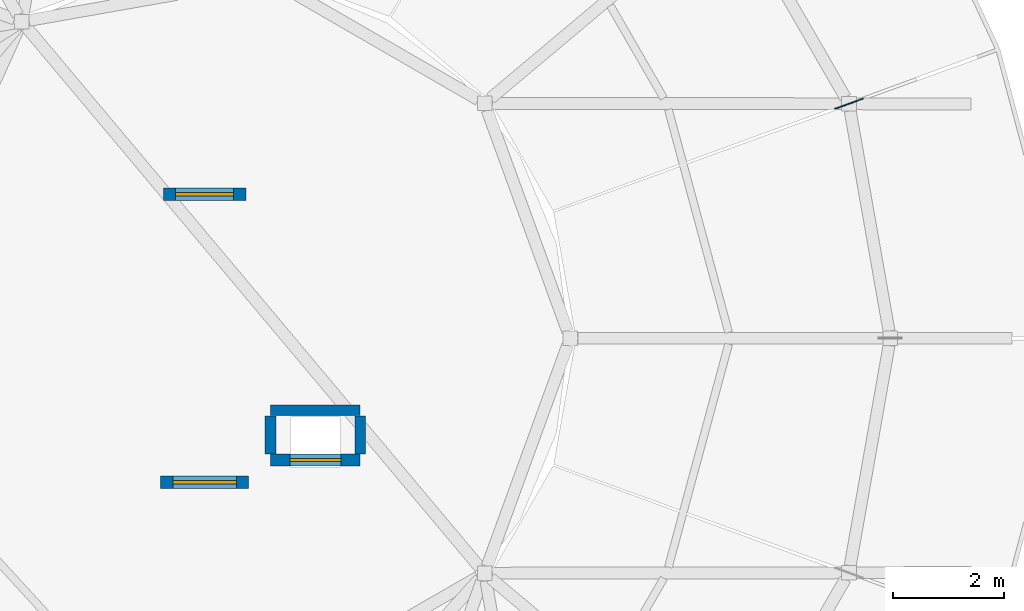
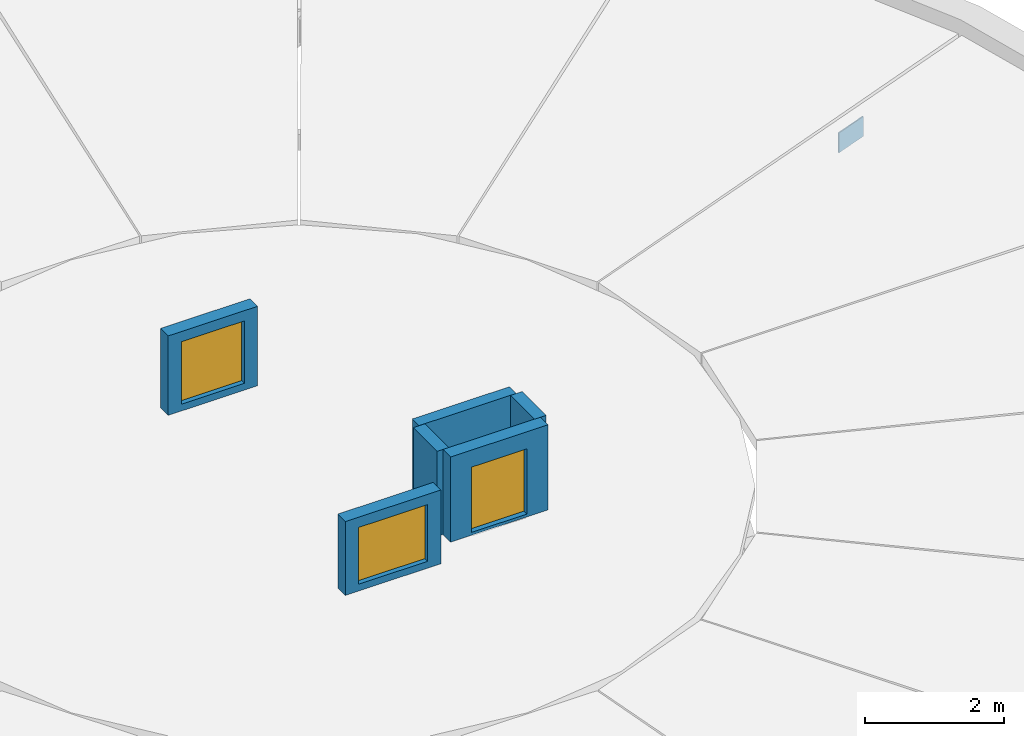
# One storey, part 7 of 14: 6 walls, 2 windows, 1 door, 1 plate, 3 openings.
"""IFC4 building model written with IfcOpenShell, lengths in metres."""

from ifc_helpers import new_model, si_unit, direction, frame, frame_2d, origin, origin_2d, place, context, subcontext, project, spatial, rectangle, extrude, material, layer, layer_set, type_object, element, fill, save


model = new_model("IFC4")

# Units and contexts
model_context = context("Model", 3, precision=1e-05, world=origin(), true_north=direction((0.0, 1.0)))
body_context = subcontext(model_context, "Body", "Model", "MODEL_VIEW")
ifc_project = project(units=[si_unit("LENGTHUNIT", "METRE"), si_unit("AREAUNIT", "SQUARE_METRE"), si_unit("VOLUMEUNIT", "CUBIC_METRE"), si_unit("PLANEANGLEUNIT", "RADIAN"), si_unit("MASSUNIT", "GRAM", prefix="KILO")], contexts=[model_context])

# Site, building, storey
site_placement = place(None, origin())
site = spatial("IfcSite", under=ifc_project, at=site_placement, CompositionType="ELEMENT")
building_placement = place(site_placement, origin())
building = spatial("IfcBuilding", under=site, at=building_placement, Name="Aldenvaro Health Centre", CompositionType="ELEMENT")
storey_placement = place(building_placement, frame((0.0, 0.0, 21.35009765625)))
storey = spatial("IfcBuildingStorey", under=building, at=storey_placement, Name="L05", CompositionType="ELEMENT", Elevation=21.35009765625)

# Plate
ifc_material_1 = material(Name="Steel ASTM A572 Grade 50", Category="steel")
ifc_layer_1 = layer(ifc_material_1, 0.01904296875, Name="Steel ASTM A572 Grade 50", Category="steel")
ifc_layer_set_1 = layer_set([ifc_layer_1], Name="Steel ASTM A572 Grade 50")
plate_type = type_object("IfcPlateType", Name="PLT-GUS-08", PredefinedType="SHEET", material=ifc_layer_set_1)
plate_placement = place(storey_placement, frame((30.133056640625, 22.73388671875, 0.19775390625), z_axis=(0.0, 0.0, 1.0), x_axis=(0.939694327372, 0.342015454484, 0.0)))
element("IfcPlate", 1, at=plate_placement, inside=storey, type_object=plate_type, Name="D5 Rafter Eave Gusset 02", PredefinedType="SHEET", context=body_context, shape_type="SweptSolid", body=[
    extrude(rectangle(XDim=0.550048828125, YDim=0.01904296875, at=origin_2d()), origin(), (0.0, 0.0, 1.0), 0.35009765625),
])

# Walls
ifc_material_2 = material(Name="Concrete f'c 35 MPa", Category="concrete")
ifc_layer_2 = layer(ifc_material_2, 0.195068359375, Name="Concrete f'c 35 MPa", Category="concrete")
ifc_layer_set_2 = layer_set([ifc_layer_2], Name="Concrete f'c 35 MPa")
wall_type_1 = type_object("IfcWallType", Name="WL-PAR-195", PredefinedType="PARAPET", material=ifc_layer_set_2)
wall_1_placement = place(storey_placement, frame((19.68994140625, 17.199951171875, 0.81494140625), z_axis=(0.0, 0.0, 1.0), x_axis=(1.0, 0.0, 0.0)))
element("IfcWall", 2, at=wall_1_placement, inside=storey, type_object=wall_type_1, Name="D5 Roof Access Curb Wall N-6", PredefinedType="PARAPET", context=body_context, shape_type="SweptSolid", body=[
    extrude(rectangle(XDim=1.6201171875, YDim=0.195068359375, at=frame_2d((0.81005859375, 0.0))), origin(), (0.0, 0.0, 1.0), 1.5),
])
for number, where, z_axis, x_axis, name in (
    (3, (19.68994140625, 16.409912109375, 0.81494140625), (0.0, 0.0, 1.0), (0.0, 1.0, 0.0), "D5 Roof Access Curb Wall W-6"),
    (4, (21.31005859375, 17.10009765625, 0.81494140625), (0.0, 0.0, 1.0), (0.0, -1.0, 0.0), "D5 Roof Access Curb Wall E-6"),
):
    element("IfcWall", number, at=place(storey_placement, frame(where, z_axis=z_axis, x_axis=x_axis)), inside=storey, type_object=wall_type_1, Name=name, PredefinedType="PARAPET", context=body_context, shape_type="SweptSolid", body=[
        extrude(rectangle(XDim=0.690185546875, YDim=0.195068359375, at=frame_2d((0.34521484375, 0.0))), origin(), (0.0, 0.0, 1.0), 1.5),
    ])

# Wall, opening, window
ifc_layer_3 = layer(ifc_material_2, 0.219970703125, Name="Concrete f'c 35 MPa", Category="concrete")
ifc_layer_set_3 = layer_set([ifc_layer_3], Name="Concrete f'c 35 MPa")
wall_type_2 = type_object("IfcWallType", Name="WL-PAR-220", PredefinedType="PARAPET", material=ifc_layer_set_3)
wall_2_placement = place(storey_placement, frame((17.7548828125, 21.10009765625, 0.81494140625), z_axis=(0.0, 0.0, 1.0), x_axis=(1.0, 0.0, 0.0)))
wall_2 = element("IfcWall", 5, at=wall_2_placement, inside=storey, type_object=wall_type_2, Name="D5 Clinical Clerestory Skylight Curb 3", PredefinedType="PARAPET", context=body_context, shape_type="SweptSolid", body=[
    extrude(rectangle(XDim=1.490234375, YDim=0.219970703125, at=frame_2d((0.7451171875, 0.0))), origin(), (0.0, 0.0, 1.0), 1.39990234375),
])
opening_1_placement = place(wall_2_placement, frame((0.219970703125, 0.0, 0.1201171875)))
opening_1 = element("IfcOpeningElement", 6, at=opening_1_placement, cuts=wall_2, Name="Opening SK-03", PredefinedType="OPENING", context=body_context, shape_type="SweptSolid", body=[
    extrude(rectangle(XDim=1.050048828125, YDim=1.10009765625, at=frame_2d((0.52490234375, 0.550048828125))), frame((0.0, 0.1201171875, 0.0), z_axis=(0.0, -1.0, 0.0), x_axis=(1.0, 0.0, 0.0)), (0.0, 0.0, 1.0), 0.239990234375),
])
ifc_material_3 = material(Name="Laminated Solar Control Skylight Glass", Category="glass")
window_type_1 = type_object("IfcWindowType", Name="WN-SKY-03", PartitioningType="SINGLE_PANEL", PredefinedType="SKYLIGHT", material=ifc_material_3)
window_1_placement = place(opening_1_placement, origin())
window_1 = element("IfcWindow", 7, at=window_1_placement, inside=storey, type_object=window_type_1, Name="D5 Clinical Clerestory Skylight 3", OverallHeight=1.10009765625, OverallWidth=1.050048828125, PartitioningType="SINGLE_PANEL", PredefinedType="SKYLIGHT", context=body_context, shape_type="SweptSolid", body=[
    extrude(rectangle(XDim=1.050048828125, YDim=1.10009765625, at=frame_2d((0.52490234375, 0.550048828125))), frame((0.0, 0.030029296875, 0.0), z_axis=(0.0, -1.0, 0.0), x_axis=(1.0, 0.0, 0.0)), (0.0, 0.0, 1.0), 0.06005859375),
])
fill(opening_1, window_1)

wall_3_placement = place(storey_placement, frame((19.294921875, 15.89990234375, 0.81494140625), z_axis=(0.0, 0.0, 1.0), x_axis=(-1.0, 0.0, 0.0)))
wall_3 = element("IfcWall", 8, at=wall_3_placement, inside=storey, type_object=wall_type_2, Name="D5 Clinical Clerestory Skylight Curb 4", PredefinedType="PARAPET", context=body_context, shape_type="SweptSolid", body=[
    extrude(rectangle(XDim=1.58984375, YDim=0.219970703125, at=frame_2d((0.794921875, 0.0))), origin(), (0.0, 0.0, 1.0), 1.300048828125),
])
opening_2_placement = place(wall_3_placement, frame((0.219970703125, 0.0, 0.1201171875)))
opening_2 = element("IfcOpeningElement", 9, at=opening_2_placement, cuts=wall_3, Name="Opening SK-04", PredefinedType="OPENING", context=body_context, shape_type="SweptSolid", body=[
    extrude(rectangle(XDim=1.14990234375, YDim=1.0, at=frame_2d((0.574951171875, 0.5))), frame((0.0, 0.1201171875, 0.0), z_axis=(0.0, -1.0, 0.0), x_axis=(1.0, 0.0, 0.0)), (0.0, 0.0, 1.0), 0.239990234375),
])
window_type_2 = type_object("IfcWindowType", Name="WN-SKY-04", PartitioningType="SINGLE_PANEL", PredefinedType="SKYLIGHT", material=ifc_material_3)
window_2_placement = place(opening_2_placement, origin())
window_2 = element("IfcWindow", 10, at=window_2_placement, inside=storey, type_object=window_type_2, Name="D5 Clinical Clerestory Skylight 4", OverallHeight=1.0, OverallWidth=1.14990234375, PartitioningType="SINGLE_PANEL", PredefinedType="SKYLIGHT", context=body_context, shape_type="SweptSolid", body=[
    extrude(rectangle(XDim=1.14990234375, YDim=1.0, at=frame_2d((0.574951171875, 0.5))), frame((0.0, 0.030029296875, 0.0), z_axis=(0.0, -1.0, 0.0), x_axis=(1.0, 0.0, 0.0)), (0.0, 0.0, 1.0), 0.06005859375),
])
fill(opening_2, window_2)

# Wall, opening, door
wall_4_placement = place(storey_placement, frame((21.31005859375, 16.300048828125, 0.81494140625), z_axis=(0.0, 0.0, 1.0), x_axis=(-1.0, 0.0, 0.0)))
wall_4 = element("IfcWall", 11, at=wall_4_placement, inside=storey, type_object=wall_type_2, Name="D5 Roof Access Curb Wall S-6", PredefinedType="PARAPET", context=body_context, shape_type="SweptSolid", body=[
    extrude(rectangle(XDim=1.6201171875, YDim=0.219970703125, at=frame_2d((0.81005859375, 0.0))), origin(), (0.0, 0.0, 1.0), 1.5),
])
opening_3_placement = place(wall_4_placement, frame((0.35009765625, 0.0, 0.050048828125)))
opening_3 = element("IfcOpeningElement", 12, at=opening_3_placement, cuts=wall_4, Name="Opening HT-02", PredefinedType="OPENING", context=body_context, shape_type="SweptSolid", body=[
    extrude(rectangle(XDim=0.919921875, YDim=1.14990234375, at=frame_2d((0.4599609375, 0.574951171875))), frame((0.0, 0.1201171875, 0.0), z_axis=(0.0, -1.0, 0.0), x_axis=(1.0, 0.0, 0.0)), (0.0, 0.0, 1.0), 0.239990234375),
])
ifc_material_4 = material(Name="Insulated Powder-Coated Aluminium", Category="aluminium")
door_type = type_object("IfcDoorType", Name="DR-TRAP-02", OperationType="NOTDEFINED", PredefinedType="TRAPDOOR", material=ifc_material_4)
door_placement = place(opening_3_placement, origin())
door = element("IfcDoor", 13, at=door_placement, inside=storey, type_object=door_type, Name="D5 Roof Maintenance Access Hatch 6", OperationType="SINGLE_SWING_RIGHT", OverallHeight=1.14990234375, OverallWidth=0.919921875, PredefinedType="TRAPDOOR", context=body_context, shape_type="SweptSolid", body=[
    extrude(rectangle(XDim=0.919921875, YDim=1.14990234375, at=frame_2d((0.4599609375, 0.574951171875))), frame((0.0, 0.02490234375, 0.0), z_axis=(0.0, -1.0, 0.0), x_axis=(1.0, 0.0, 0.0)), (0.0, 0.0, 1.0), 0.050048828125),
])
fill(opening_3, door)

save(model, "model.ifc")
